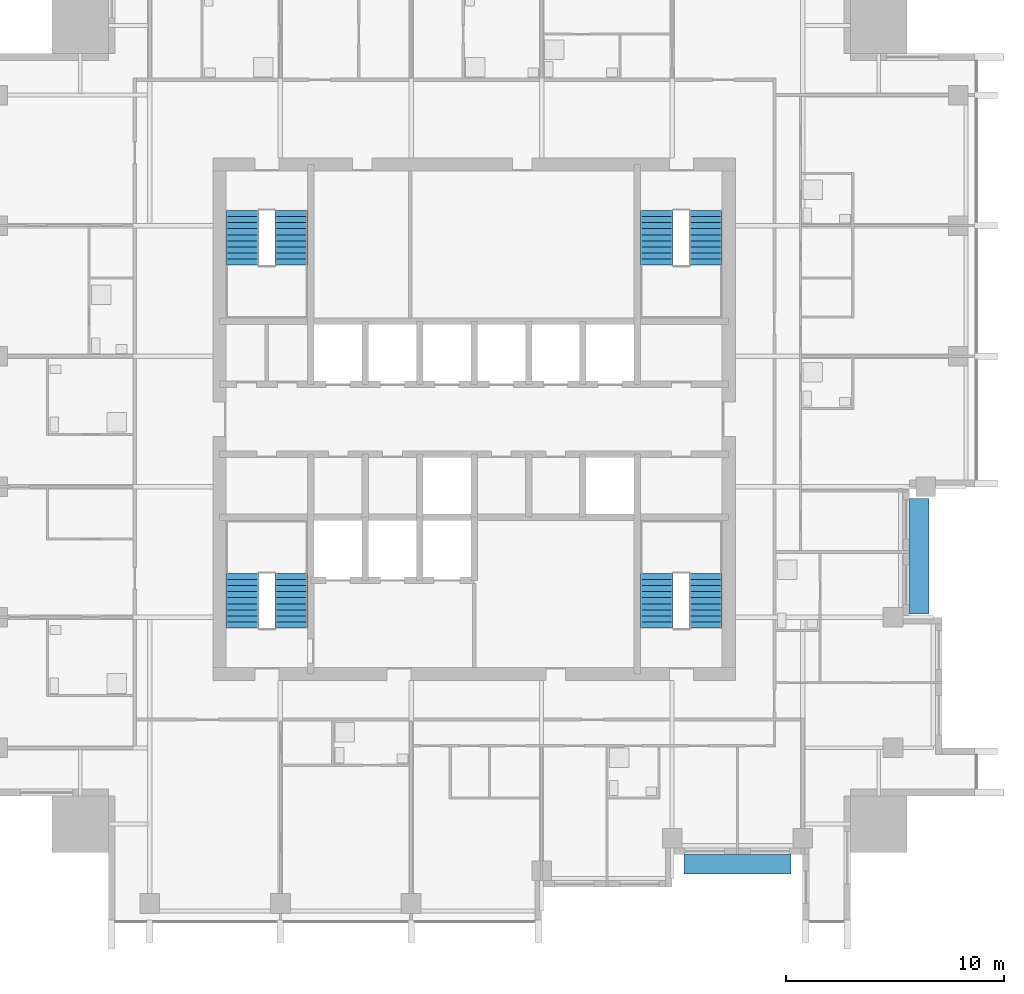
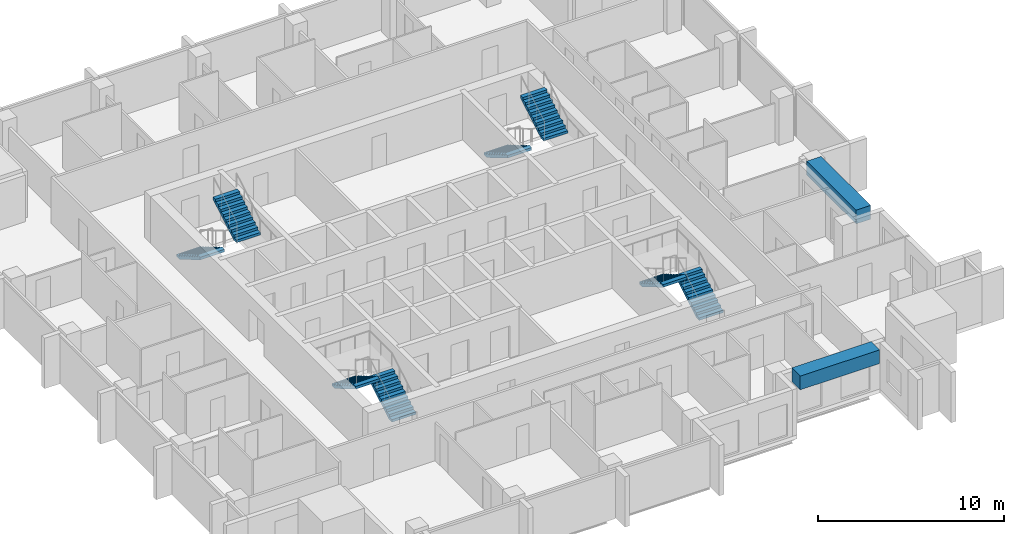
# One storey, part 8 of 10: 8 stair flights, 2 discrete accessories, 4 elements without a shape of their own.
"""IFC4 building model written with IfcOpenShell, lengths in metres."""

from ifc_helpers import new_model, si_unit, direction, frame, origin, origin_2d, place, context, subcontext, project, spatial, polyline, rectangle, outline, extrude, material, type_object, element, aggregate, save


model = new_model("IFC4")

# Units and contexts
model_context = context("Model", 3, precision=1e-05, world=origin(), true_north=direction((0.0, 1.0)))
body_context = subcontext(model_context, "Body", "Model", "MODEL_VIEW")
ifc_project = project(units=[si_unit("LENGTHUNIT", "METRE"), si_unit("AREAUNIT", "SQUARE_METRE"), si_unit("VOLUMEUNIT", "CUBIC_METRE"), si_unit("PLANEANGLEUNIT", "RADIAN"), si_unit("MASSUNIT", "GRAM", prefix="KILO")], contexts=[model_context])

# Site, building, storey
site_placement = place(None, origin())
site = spatial("IfcSite", under=ifc_project, at=site_placement, CompositionType="ELEMENT")
building_placement = place(site_placement, origin())
building = spatial("IfcBuilding", under=site, at=building_placement, Name="Amberfall Residences", CompositionType="ELEMENT")
storey_placement = place(building_placement, frame((0.0, 0.0, 200.199951171875)))
storey = spatial("IfcBuildingStorey", under=building, at=storey_placement, Name="L53", CompositionType="ELEMENT", Elevation=200.199951171875)

# Stair, stair flights
ifc_material = material(Name="Concrete C40", Category="concrete")
stair_type = type_object("IfcStairType", Name="Exit stair 20 risers 165.0 mm", PredefinedType="HALF_TURN_STAIR", material=ifc_material)
stair_1_placement = place(storey_placement, origin())
stair_1 = element("IfcStair", 1, at=stair_1_placement, inside=storey, type_object=stair_type, Name="L53 Exit stair 1", PredefinedType="HALF_TURN_STAIR")
stair_flight_type = type_object("IfcStairFlightType", Name="Stair flight 10 risers 165.0 mm", PredefinedType="STRAIGHT", material=ifc_material)
stair_flight_1_placement = place(storey_placement, frame((66.10009765625, 35.89990234375, 0.0), z_axis=(0.0, 0.0, 1.0), x_axis=(0.0, 1.0, 0.0)))
stair_flight_1 = element("IfcStairFlight", 2, at=stair_flight_1_placement, type_object=stair_flight_type, Name="ST3 flight 1", NumberOfRisers=10, NumberOfTreads=9, PredefinedType="STRAIGHT", RiserHeight=0.165, TreadLength=0.28, context=body_context, shape_type="SweptSolid", body=[
    extrude(outline(polyline([(0.0, 0.0), (0.0, 0.1650390625), (0.280029296875, 0.1650390625), (0.280029296875, 0.330078125), (0.56005859375, 0.330078125), (0.56005859375, 0.4951171875), (0.840087890625, 0.4951171875), (0.840087890625, 0.659912109375), (1.1201171875, 0.659912109375), (1.1201171875, 0.824951171875), (1.39990234375, 0.824951171875), (1.39990234375, 0.989990234375), (1.679931640625, 0.989990234375), (1.679931640625, 1.155029296875), (1.9599609375, 1.155029296875), (1.9599609375, 1.320068359375), (2.239990234375, 1.320068359375), (2.239990234375, 1.485107421875), (2.52001953125, 1.485107421875), (2.52001953125, 1.64990234375), (2.52001953125, 1.31103515625), (0.295166015625, 0.0), (0.0, 0.0)])), frame((0.0, 0.75, 0.0), z_axis=(0.0, -1.0, 0.0), x_axis=(1.0, 0.0, 0.0)), (0.0, 0.0, 1.0), 1.5),
])
stair_flight_2_placement = place(storey_placement, frame((63.85009765625, 38.419921875, 1.650146484375), z_axis=(0.0, 0.0, 1.0), x_axis=(0.0, -1.0, 0.0)))
stair_flight_2 = element("IfcStairFlight", 3, at=stair_flight_2_placement, type_object=stair_flight_type, Name="ST3 flight 2", NumberOfRisers=10, NumberOfTreads=9, PredefinedType="STRAIGHT", RiserHeight=0.165, TreadLength=0.28, context=body_context, shape_type="SweptSolid", body=[
    extrude(outline(polyline([(0.0, 0.0), (0.0, 0.1650390625), (0.280029296875, 0.1650390625), (0.280029296875, 0.330078125), (0.56005859375, 0.330078125), (0.56005859375, 0.4951171875), (0.840087890625, 0.4951171875), (0.840087890625, 0.659912109375), (1.1201171875, 0.659912109375), (1.1201171875, 0.824951171875), (1.39990234375, 0.824951171875), (1.39990234375, 0.989990234375), (1.679931640625, 0.989990234375), (1.679931640625, 1.155029296875), (1.9599609375, 1.155029296875), (1.9599609375, 1.320068359375), (2.239990234375, 1.320068359375), (2.239990234375, 1.485107421875), (2.52001953125, 1.485107421875), (2.52001953125, 1.64990234375), (2.52001953125, 1.31103515625), (0.295166015625, 0.0), (0.0, 0.0)])), frame((0.0, 0.75, 0.0), z_axis=(0.0, -1.0, 0.0), x_axis=(1.0, 0.0, 0.0)), (0.0, 0.0, 1.0), 1.5),
])
aggregate(stair_1, [stair_flight_1, stair_flight_2])

stair_2_placement = place(storey_placement, origin())
stair_2 = element("IfcStair", 4, at=stair_2_placement, inside=storey, type_object=stair_type, Name="L53 Exit stair 2", PredefinedType="HALF_TURN_STAIR")
stair_flight_3_placement = place(storey_placement, frame((85.14990234375, 35.89990234375, 0.0), z_axis=(0.0, 0.0, 1.0), x_axis=(0.0, 1.0, 0.0)))
stair_flight_3 = element("IfcStairFlight", 5, at=stair_flight_3_placement, type_object=stair_flight_type, Name="ST3 flight 1", NumberOfRisers=10, NumberOfTreads=9, PredefinedType="STRAIGHT", RiserHeight=0.165, TreadLength=0.28, context=body_context, shape_type="SweptSolid", body=[
    extrude(outline(polyline([(0.0, 0.0), (0.0, 0.1650390625), (0.280029296875, 0.1650390625), (0.280029296875, 0.330078125), (0.56005859375, 0.330078125), (0.56005859375, 0.4951171875), (0.840087890625, 0.4951171875), (0.840087890625, 0.659912109375), (1.1201171875, 0.659912109375), (1.1201171875, 0.824951171875), (1.39990234375, 0.824951171875), (1.39990234375, 0.989990234375), (1.679931640625, 0.989990234375), (1.679931640625, 1.155029296875), (1.9599609375, 1.155029296875), (1.9599609375, 1.320068359375), (2.239990234375, 1.320068359375), (2.239990234375, 1.485107421875), (2.52001953125, 1.485107421875), (2.52001953125, 1.64990234375), (2.52001953125, 1.31103515625), (0.295166015625, 0.0), (0.0, 0.0)])), frame((0.0, 0.75, 0.0), z_axis=(0.0, -1.0, 0.0), x_axis=(1.0, 0.0, 0.0)), (0.0, 0.0, 1.0), 1.5),
])
stair_flight_4_placement = place(storey_placement, frame((82.89990234375, 38.419921875, 1.650146484375), z_axis=(0.0, 0.0, 1.0), x_axis=(0.0, -1.0, 0.0)))
stair_flight_4 = element("IfcStairFlight", 6, at=stair_flight_4_placement, type_object=stair_flight_type, Name="ST3 flight 2", NumberOfRisers=10, NumberOfTreads=9, PredefinedType="STRAIGHT", RiserHeight=0.165, TreadLength=0.28, context=body_context, shape_type="SweptSolid", body=[
    extrude(outline(polyline([(0.0, 0.0), (0.0, 0.1650390625), (0.280029296875, 0.1650390625), (0.280029296875, 0.330078125), (0.56005859375, 0.330078125), (0.56005859375, 0.4951171875), (0.840087890625, 0.4951171875), (0.840087890625, 0.659912109375), (1.1201171875, 0.659912109375), (1.1201171875, 0.824951171875), (1.39990234375, 0.824951171875), (1.39990234375, 0.989990234375), (1.679931640625, 0.989990234375), (1.679931640625, 1.155029296875), (1.9599609375, 1.155029296875), (1.9599609375, 1.320068359375), (2.239990234375, 1.320068359375), (2.239990234375, 1.485107421875), (2.52001953125, 1.485107421875), (2.52001953125, 1.64990234375), (2.52001953125, 1.31103515625), (0.295166015625, 0.0), (0.0, 0.0)])), frame((0.0, 0.75, 0.0), z_axis=(0.0, -1.0, 0.0), x_axis=(1.0, 0.0, 0.0)), (0.0, 0.0, 1.0), 1.5),
])
aggregate(stair_2, [stair_flight_3, stair_flight_4])

stair_3_placement = place(storey_placement, origin())
stair_3 = element("IfcStair", 7, at=stair_3_placement, inside=storey, type_object=stair_type, Name="L53 Exit stair 3", PredefinedType="HALF_TURN_STAIR")
stair_flight_5_placement = place(storey_placement, frame((82.89990234375, 55.10009765625, 0.0), z_axis=(0.0, 0.0, 1.0), x_axis=(0.0, -1.0, 0.0)))
stair_flight_5 = element("IfcStairFlight", 8, at=stair_flight_5_placement, type_object=stair_flight_type, Name="ST3 flight 1", NumberOfRisers=10, NumberOfTreads=9, PredefinedType="STRAIGHT", RiserHeight=0.165, TreadLength=0.28, context=body_context, shape_type="SweptSolid", body=[
    extrude(outline(polyline([(0.0, 0.0), (0.0, 0.1650390625), (0.280029296875, 0.1650390625), (0.280029296875, 0.330078125), (0.56005859375, 0.330078125), (0.56005859375, 0.4951171875), (0.840087890625, 0.4951171875), (0.840087890625, 0.659912109375), (1.1201171875, 0.659912109375), (1.1201171875, 0.824951171875), (1.39990234375, 0.824951171875), (1.39990234375, 0.989990234375), (1.679931640625, 0.989990234375), (1.679931640625, 1.155029296875), (1.9599609375, 1.155029296875), (1.9599609375, 1.320068359375), (2.239990234375, 1.320068359375), (2.239990234375, 1.485107421875), (2.52001953125, 1.485107421875), (2.52001953125, 1.64990234375), (2.52001953125, 1.31103515625), (0.295166015625, 0.0), (0.0, 0.0)])), frame((0.0, 0.75, 0.0), z_axis=(0.0, -1.0, 0.0), x_axis=(1.0, 0.0, 0.0)), (0.0, 0.0, 1.0), 1.5),
])
stair_flight_6_placement = place(storey_placement, frame((85.14990234375, 52.580078125, 1.650146484375), z_axis=(0.0, 0.0, 1.0), x_axis=(0.0, 1.0, 0.0)))
stair_flight_6 = element("IfcStairFlight", 9, at=stair_flight_6_placement, type_object=stair_flight_type, Name="ST3 flight 2", NumberOfRisers=10, NumberOfTreads=9, PredefinedType="STRAIGHT", RiserHeight=0.165, TreadLength=0.28, context=body_context, shape_type="SweptSolid", body=[
    extrude(outline(polyline([(0.0, 0.0), (0.0, 0.1650390625), (0.280029296875, 0.1650390625), (0.280029296875, 0.330078125), (0.56005859375, 0.330078125), (0.56005859375, 0.4951171875), (0.840087890625, 0.4951171875), (0.840087890625, 0.659912109375), (1.1201171875, 0.659912109375), (1.1201171875, 0.824951171875), (1.39990234375, 0.824951171875), (1.39990234375, 0.989990234375), (1.679931640625, 0.989990234375), (1.679931640625, 1.155029296875), (1.9599609375, 1.155029296875), (1.9599609375, 1.320068359375), (2.239990234375, 1.320068359375), (2.239990234375, 1.485107421875), (2.52001953125, 1.485107421875), (2.52001953125, 1.64990234375), (2.52001953125, 1.31103515625), (0.295166015625, 0.0), (0.0, 0.0)])), frame((0.0, 0.75, 0.0), z_axis=(0.0, -1.0, 0.0), x_axis=(1.0, 0.0, 0.0)), (0.0, 0.0, 1.0), 1.5),
])
aggregate(stair_3, [stair_flight_5, stair_flight_6])

stair_4_placement = place(storey_placement, origin())
stair_4 = element("IfcStair", 10, at=stair_4_placement, inside=storey, type_object=stair_type, Name="L53 Exit stair 4", PredefinedType="HALF_TURN_STAIR")
stair_flight_7_placement = place(storey_placement, frame((63.85009765625, 55.10009765625, 0.0), z_axis=(0.0, 0.0, 1.0), x_axis=(0.0, -1.0, 0.0)))
stair_flight_7 = element("IfcStairFlight", 11, at=stair_flight_7_placement, type_object=stair_flight_type, Name="ST3 flight 1", NumberOfRisers=10, NumberOfTreads=9, PredefinedType="STRAIGHT", RiserHeight=0.165, TreadLength=0.28, context=body_context, shape_type="SweptSolid", body=[
    extrude(outline(polyline([(0.0, 0.0), (0.0, 0.1650390625), (0.280029296875, 0.1650390625), (0.280029296875, 0.330078125), (0.56005859375, 0.330078125), (0.56005859375, 0.4951171875), (0.840087890625, 0.4951171875), (0.840087890625, 0.659912109375), (1.1201171875, 0.659912109375), (1.1201171875, 0.824951171875), (1.39990234375, 0.824951171875), (1.39990234375, 0.989990234375), (1.679931640625, 0.989990234375), (1.679931640625, 1.155029296875), (1.9599609375, 1.155029296875), (1.9599609375, 1.320068359375), (2.239990234375, 1.320068359375), (2.239990234375, 1.485107421875), (2.52001953125, 1.485107421875), (2.52001953125, 1.64990234375), (2.52001953125, 1.31103515625), (0.295166015625, 0.0), (0.0, 0.0)])), frame((0.0, 0.75, 0.0), z_axis=(0.0, -1.0, 0.0), x_axis=(1.0, 0.0, 0.0)), (0.0, 0.0, 1.0), 1.5),
])
stair_flight_8_placement = place(storey_placement, frame((66.10009765625, 52.580078125, 1.650146484375), z_axis=(0.0, 0.0, 1.0), x_axis=(0.0, 1.0, 0.0)))
stair_flight_8 = element("IfcStairFlight", 12, at=stair_flight_8_placement, type_object=stair_flight_type, Name="ST3 flight 2", NumberOfRisers=10, NumberOfTreads=9, PredefinedType="STRAIGHT", RiserHeight=0.165, TreadLength=0.28, context=body_context, shape_type="SweptSolid", body=[
    extrude(outline(polyline([(0.0, 0.0), (0.0, 0.1650390625), (0.280029296875, 0.1650390625), (0.280029296875, 0.330078125), (0.56005859375, 0.330078125), (0.56005859375, 0.4951171875), (0.840087890625, 0.4951171875), (0.840087890625, 0.659912109375), (1.1201171875, 0.659912109375), (1.1201171875, 0.824951171875), (1.39990234375, 0.824951171875), (1.39990234375, 0.989990234375), (1.679931640625, 0.989990234375), (1.679931640625, 1.155029296875), (1.9599609375, 1.155029296875), (1.9599609375, 1.320068359375), (2.239990234375, 1.320068359375), (2.239990234375, 1.485107421875), (2.52001953125, 1.485107421875), (2.52001953125, 1.64990234375), (2.52001953125, 1.31103515625), (0.295166015625, 0.0), (0.0, 0.0)])), frame((0.0, 0.75, 0.0), z_axis=(0.0, -1.0, 0.0), x_axis=(1.0, 0.0, 0.0)), (0.0, 0.0, 1.0), 1.5),
])
aggregate(stair_4, [stair_flight_7, stair_flight_8])

# Discrete accessories
discrete_accessory_1_placement = place(storey_placement, frame((86.60009765625, 25.050048828125, 2.400146484375), z_axis=(0.0, 0.0, 1.0), x_axis=(1.0, 0.0, 0.0)))
element("IfcDiscreteAccessory", 13, at=discrete_accessory_1_placement, inside=storey, Name="Planter box L54 S5", ObjectType="PLANTER BOX", PredefinedType="USERDEFINED", context=body_context, shape_type="SweptSolid", body=[
    extrude(rectangle(XDim=4.919921875, YDim=0.89990234375, at=origin_2d()), origin(), (0.0, 0.0, 1.0), 0.89990234375),
])
discrete_accessory_2_placement = place(storey_placement, frame((94.949951171875, 39.199951171875, 2.400146484375), z_axis=(0.0, 0.0, 1.0), x_axis=(0.0, 1.0, 0.0)))
element("IfcDiscreteAccessory", 14, at=discrete_accessory_2_placement, inside=storey, Name="Planter box L54 E5", ObjectType="PLANTER BOX", PredefinedType="USERDEFINED", context=body_context, shape_type="SweptSolid", body=[
    extrude(rectangle(XDim=5.300048828125, YDim=0.89990234375, at=origin_2d()), origin(), (0.0, 0.0, 1.0), 0.89990234375),
])

save(model, "model.ifc")
